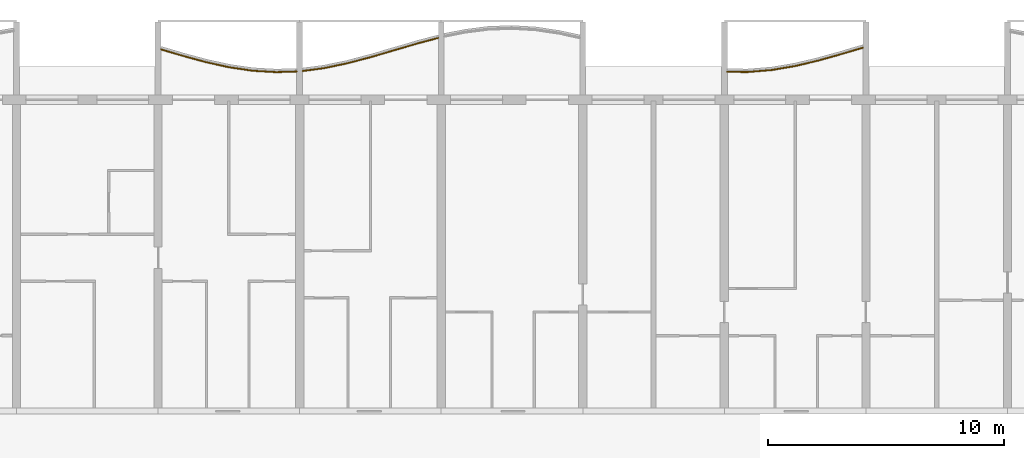
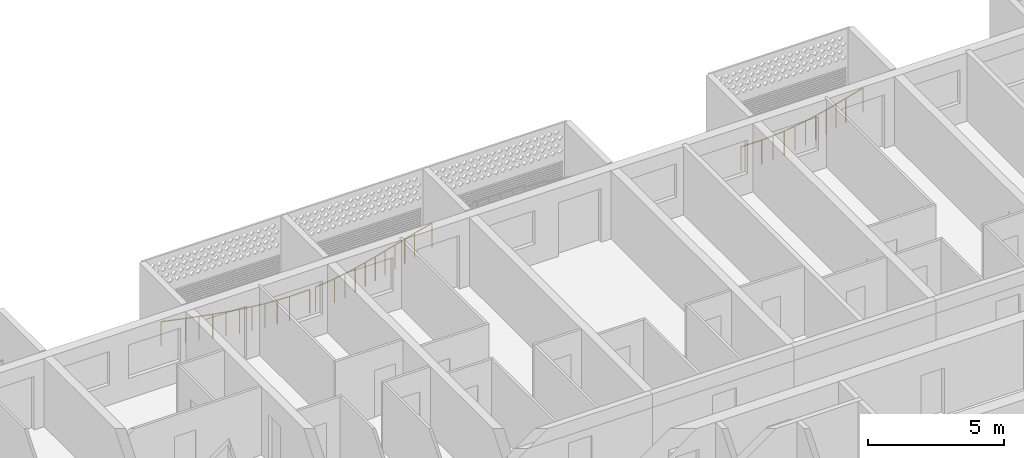
# One storey, part 22 of 28: 3 railings.
"""IFC4 building model written with IfcOpenShell, lengths in metres."""

from ifc_helpers import new_model, si_unit, direction, frame, origin, origin_2d, place, context, subcontext, project, spatial, circle, extrude, material, type_object, element, save


model = new_model("IFC4")

# Units and contexts
model_context = context("Model", 3, precision=1e-05, world=origin(), true_north=direction((0.0, 1.0)))
body_context = subcontext(model_context, "Body", "Model", "MODEL_VIEW")
ifc_project = project(units=[si_unit("LENGTHUNIT", "METRE"), si_unit("AREAUNIT", "SQUARE_METRE"), si_unit("VOLUMEUNIT", "CUBIC_METRE"), si_unit("PLANEANGLEUNIT", "RADIAN"), si_unit("MASSUNIT", "GRAM", prefix="KILO")], contexts=[model_context])

# Site, building, storey
site_placement = place(None, origin())
site = spatial("IfcSite", under=ifc_project, at=site_placement, CompositionType="ELEMENT")
building_placement = place(site_placement, origin())
building = spatial("IfcBuilding", under=site, at=building_placement, Name="Poui Terraces", CompositionType="ELEMENT")
storey_placement = place(building_placement, frame((0.0, 0.0, 72.89990234375)))
storey = spatial("IfcBuildingStorey", under=building, at=storey_placement, Name="L19", CompositionType="ELEMENT", Elevation=72.89990234375)

# Railings
ifc_material = material(Name="Painted steel fretwork", Category="steel")
railing_type = type_object("IfcRailingType", Name="BALCONY GUARD 1100", PredefinedType="GUARDRAIL", material=ifc_material)
railing_1_placement = place(storey_placement, frame((42.125, 45.732177734375, 0.0)))
element("IfcRailing", 1, at=railing_1_placement, inside=storey, type_object=railing_type, Name="BALCONY GUARD", PredefinedType="GUARDRAIL", context=body_context, shape_type="SweptSolid", body=[
    extrude(circle(Radius=0.02392578125, at=origin_2d()), frame((0.0, 0.0, 1.076171875), z_axis=(0.959011097716, -0.283368513527, 0.0), x_axis=(0.283368513527, 0.959011097716, 0.0)), (0.0, 0.0, 1.0), 0.912353515625),
    extrude(circle(Radius=0.02392578125, at=origin_2d()), frame((0.875, -0.258544921875, 1.076171875), z_axis=(0.964709448785, -0.263316690367, 0.0), x_axis=(0.263316690367, 0.964709448785, 0.0)), (0.0, 0.0, 1.0), 1.03662109375),
    extrude(circle(Radius=0.02392578125, at=origin_2d()), frame((1.875, -0.531494140625, 1.076171875), z_axis=(0.976198274393, -0.216879987719, 0.0), x_axis=(0.216879987719, 0.976198274393, 0.0)), (0.0, 0.0, 1.0), 1.0244140625),
    extrude(circle(Radius=0.02392578125, at=origin_2d()), frame((2.875, -0.753662109375, 1.076171875), z_axis=(0.989161931015, -0.146828724135, 0.0), x_axis=(0.146828724135, 0.989161931015, 0.0)), (0.0, 0.0, 1.0), 1.010986328125),
    extrude(circle(Radius=0.02392578125, at=origin_2d()), frame((3.875, -0.902099609375, 1.076171875), z_axis=(0.998244834412, -0.05922204462, 0.0), x_axis=(0.05922204462, 0.998244834412, 0.0)), (0.0, 0.0, 1.0), 1.001708984375),
    extrude(circle(Radius=0.02392578125, at=origin_2d()), frame((4.875, -0.96142578125, 1.076171875), z_axis=(0.999554639848, 0.029841614527, 0.0), x_axis=(-0.029841614527, 0.999554639848, 0.0)), (0.0, 0.0, 1.0), 0.87548828125),
    extrude(circle(Radius=0.02099609375, at=origin_2d()), origin(), (0.0, 0.0, 1.0), 1.052001953125),
    extrude(circle(Radius=0.02099609375, at=origin_2d()), frame((0.875, -0.258544921875, 0.0)), (0.0, 0.0, 1.0), 1.052001953125),
    extrude(circle(Radius=0.02099609375, at=origin_2d()), frame((1.375, -0.39501953125, 0.0)), (0.0, 0.0, 1.0), 1.052001953125),
    extrude(circle(Radius=0.02099609375, at=origin_2d()), frame((1.875, -0.531494140625, 0.0)), (0.0, 0.0, 1.0), 1.052001953125),
    extrude(circle(Radius=0.02099609375, at=origin_2d()), frame((2.375, -0.642578125, 0.0)), (0.0, 0.0, 1.0), 1.052001953125),
    extrude(circle(Radius=0.02099609375, at=origin_2d()), frame((2.875, -0.753662109375, 0.0)), (0.0, 0.0, 1.0), 1.052001953125),
    extrude(circle(Radius=0.02099609375, at=origin_2d()), frame((3.375, -0.827880859375, 0.0)), (0.0, 0.0, 1.0), 1.052001953125),
    extrude(circle(Radius=0.02099609375, at=origin_2d()), frame((3.875, -0.902099609375, 0.0)), (0.0, 0.0, 1.0), 1.052001953125),
    extrude(circle(Radius=0.02099609375, at=origin_2d()), frame((4.375, -0.931640625, 0.0)), (0.0, 0.0, 1.0), 1.052001953125),
    extrude(circle(Radius=0.02099609375, at=origin_2d()), frame((4.875, -0.96142578125, 0.0)), (0.0, 0.0, 1.0), 1.052001953125),
    extrude(circle(Radius=0.02099609375, at=origin_2d()), frame((5.75, -0.935302734375, 0.0)), (0.0, 0.0, 1.0), 1.052001953125),
])
railing_2_placement = place(storey_placement, frame((48.125, 44.817626953125, 0.0)))
element("IfcRailing", 2, at=railing_2_placement, inside=storey, type_object=railing_type, Name="BALCONY GUARD", PredefinedType="GUARDRAIL", context=body_context, shape_type="SweptSolid", body=[
    extrude(circle(Radius=0.02392578125, at=origin_2d()), frame((0.0, 0.0, 1.076171875), z_axis=(0.991331470199, 0.131384611703, 0.0), x_axis=(-0.131384611703, 0.991331470199, 0.0)), (0.0, 0.0, 1.0), 0.882568359375),
    extrude(circle(Radius=0.02392578125, at=origin_2d()), frame((0.875, 0.115966796875, 1.076171875), z_axis=(0.979470932223, 0.201585448209, 0.0), x_axis=(-0.201585448209, 0.979470932223, 0.0)), (0.0, 0.0, 1.0), 1.02099609375),
    extrude(circle(Radius=0.02392578125, at=origin_2d()), frame((1.875, 0.32177734375, 1.076171875), z_axis=(0.967184558731, 0.254074849901, 0.0), x_axis=(-0.254074849901, 0.967184558731, 0.0)), (0.0, 0.0, 1.0), 1.033935546875),
    extrude(circle(Radius=0.02392578125, at=origin_2d()), frame((2.875, 0.58447265625, 1.076171875), z_axis=(0.959663427085, 0.281151394654, 0.0), x_axis=(-0.281151394654, 0.959663427085, 0.0)), (0.0, 0.0, 1.0), 1.0419921875),
    extrude(circle(Radius=0.02392578125, at=origin_2d()), frame((3.875, 0.87744140625, 1.076171875), z_axis=(0.959726621702, 0.280935600444, 0.0), x_axis=(-0.280935600444, 0.959726621702, 0.0)), (0.0, 0.0, 1.0), 1.0419921875),
    extrude(circle(Radius=0.02392578125, at=origin_2d()), frame((4.875, 1.170166015625, 1.076171875), z_axis=(0.966418189442, 0.256974479503, 0.0), x_axis=(-0.256974479503, 0.966418189442, 0.0)), (0.0, 0.0, 1.0), 0.905517578125),
    extrude(circle(Radius=0.02099609375, at=origin_2d()), origin(), (0.0, 0.0, 1.0), 1.052001953125),
    extrude(circle(Radius=0.02099609375, at=origin_2d()), frame((0.875, 0.115966796875, 0.0)), (0.0, 0.0, 1.0), 1.052001953125),
    extrude(circle(Radius=0.02099609375, at=origin_2d()), frame((1.375, 0.21875, 0.0)), (0.0, 0.0, 1.0), 1.052001953125),
    extrude(circle(Radius=0.02099609375, at=origin_2d()), frame((1.875, 0.32177734375, 0.0)), (0.0, 0.0, 1.0), 1.052001953125),
    extrude(circle(Radius=0.02099609375, at=origin_2d()), frame((2.375, 0.453125, 0.0)), (0.0, 0.0, 1.0), 1.052001953125),
    extrude(circle(Radius=0.02099609375, at=origin_2d()), frame((2.875, 0.58447265625, 0.0)), (0.0, 0.0, 1.0), 1.052001953125),
    extrude(circle(Radius=0.02099609375, at=origin_2d()), frame((3.375, 0.73095703125, 0.0)), (0.0, 0.0, 1.0), 1.052001953125),
    extrude(circle(Radius=0.02099609375, at=origin_2d()), frame((3.875, 0.87744140625, 0.0)), (0.0, 0.0, 1.0), 1.052001953125),
    extrude(circle(Radius=0.02099609375, at=origin_2d()), frame((4.375, 1.02392578125, 0.0)), (0.0, 0.0, 1.0), 1.052001953125),
    extrude(circle(Radius=0.02099609375, at=origin_2d()), frame((4.875, 1.170166015625, 0.0)), (0.0, 0.0, 1.0), 1.052001953125),
    extrude(circle(Radius=0.02099609375, at=origin_2d()), frame((5.75, 1.40283203125, 0.0)), (0.0, 0.0, 1.0), 1.052001953125),
])
railing_3_placement = place(storey_placement, frame((66.125, 44.781982421875, 0.0)))
element("IfcRailing", 3, at=railing_3_placement, inside=storey, type_object=railing_type, Name="BALCONY GUARD", PredefinedType="GUARDRAIL", context=body_context, shape_type="SweptSolid", body=[
    extrude(circle(Radius=0.02392578125, at=origin_2d()), frame((0.0, 0.0, 1.076171875), z_axis=(0.999981160599, -0.006138277213, 0.0), x_axis=(0.006138277213, 0.999981160599, 0.0)), (0.0, 0.0, 1.0), 0.875),
    extrude(circle(Radius=0.02392578125, at=origin_2d()), frame((0.875, -0.00537109375, 1.076171875), z_axis=(0.996592582512, 0.082481661492, 0.0), x_axis=(-0.082481661492, 0.996592582512, 0.0)), (0.0, 0.0, 1.0), 1.00341796875),
    extrude(circle(Radius=0.02392578125, at=origin_2d()), frame((1.875, 0.077392578125, 1.076171875), z_axis=(0.986106132513, 0.166116511581, 0.0), x_axis=(-0.166116511581, 0.986106132513, 0.0)), (0.0, 0.0, 1.0), 1.01416015625),
    extrude(circle(Radius=0.02392578125, at=origin_2d()), frame((2.875, 0.245849609375, 1.076171875), z_axis=(0.972979257535, 0.230892538653, 0.0), x_axis=(-0.230892538653, 0.972979257535, 0.0)), (0.0, 0.0, 1.0), 1.02783203125),
    extrude(circle(Radius=0.02392578125, at=origin_2d()), frame((3.875, 0.483154296875, 1.076171875), z_axis=(0.962589664763, 0.270963350457, 0.0), x_axis=(-0.270963350457, 0.962589664763, 0.0)), (0.0, 0.0, 1.0), 1.038818359375),
    extrude(circle(Radius=0.02392578125, at=origin_2d()), frame((4.875, 0.7646484375, 1.076171875), z_axis=(0.958646866278, 0.284598288426, 0.0), x_axis=(-0.284598288426, 0.958646866278, 0.0)), (0.0, 0.0, 1.0), 0.912841796875),
    extrude(circle(Radius=0.02099609375, at=origin_2d()), origin(), (0.0, 0.0, 1.0), 1.052001953125),
    extrude(circle(Radius=0.02099609375, at=origin_2d()), frame((0.875, -0.00537109375, 0.0)), (0.0, 0.0, 1.0), 1.052001953125),
    extrude(circle(Radius=0.02099609375, at=origin_2d()), frame((1.375, 0.0361328125, 0.0)), (0.0, 0.0, 1.0), 1.052001953125),
    extrude(circle(Radius=0.02099609375, at=origin_2d()), frame((1.875, 0.077392578125, 0.0)), (0.0, 0.0, 1.0), 1.052001953125),
    extrude(circle(Radius=0.02099609375, at=origin_2d()), frame((2.375, 0.16162109375, 0.0)), (0.0, 0.0, 1.0), 1.052001953125),
    extrude(circle(Radius=0.02099609375, at=origin_2d()), frame((2.875, 0.245849609375, 0.0)), (0.0, 0.0, 1.0), 1.052001953125),
    extrude(circle(Radius=0.02099609375, at=origin_2d()), frame((3.375, 0.364501953125, 0.0)), (0.0, 0.0, 1.0), 1.052001953125),
    extrude(circle(Radius=0.02099609375, at=origin_2d()), frame((3.875, 0.483154296875, 0.0)), (0.0, 0.0, 1.0), 1.052001953125),
    extrude(circle(Radius=0.02099609375, at=origin_2d()), frame((4.375, 0.6240234375, 0.0)), (0.0, 0.0, 1.0), 1.052001953125),
    extrude(circle(Radius=0.02099609375, at=origin_2d()), frame((4.875, 0.7646484375, 0.0)), (0.0, 0.0, 1.0), 1.052001953125),
    extrude(circle(Radius=0.02099609375, at=origin_2d()), frame((5.75, 1.0244140625, 0.0)), (0.0, 0.0, 1.0), 1.052001953125),
])

save(model, "model.ifc")
